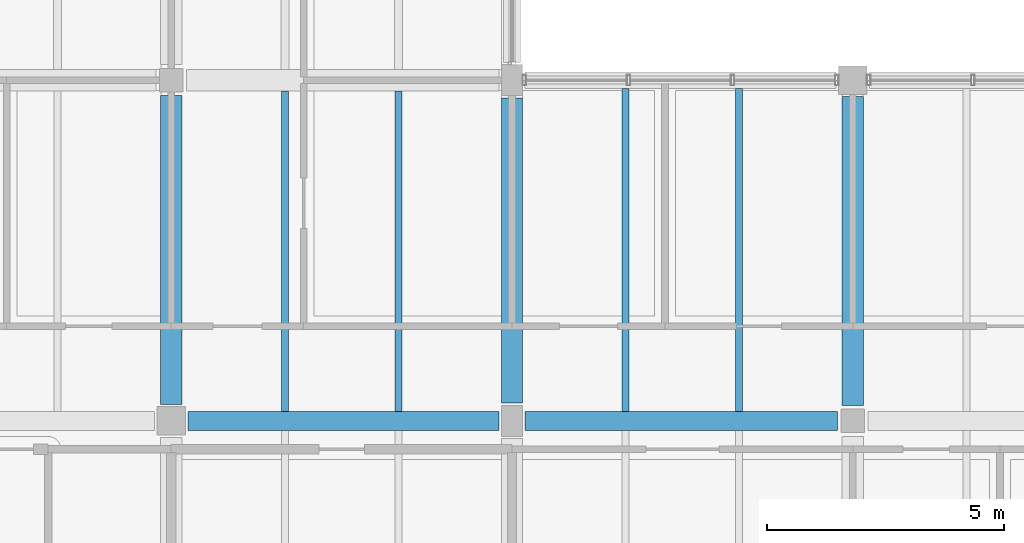
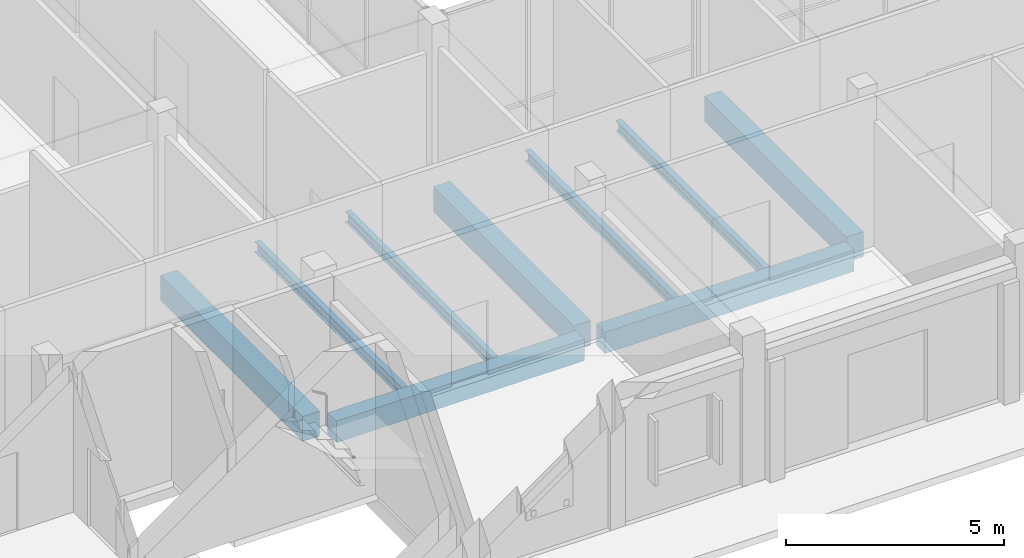
# One storey, part 11 of 104: 9 beams.
"""IFC4 building model written with IfcOpenShell, lengths in metres."""

from ifc_helpers import new_model, si_unit, direction, frame, origin, origin_2d, place, context, subcontext, project, spatial, rectangle, i_section, extrude, material, material_profile, profile_set, type_object, element, save


model = new_model("IFC4")

# Units and contexts
model_context = context("Model", 3, precision=1e-05, world=origin(), true_north=direction((0.0, 1.0)))
body_context = subcontext(model_context, "Body", "Model", "MODEL_VIEW")
ifc_project = project(units=[si_unit("LENGTHUNIT", "METRE"), si_unit("AREAUNIT", "SQUARE_METRE"), si_unit("VOLUMEUNIT", "CUBIC_METRE"), si_unit("PLANEANGLEUNIT", "RADIAN"), si_unit("MASSUNIT", "GRAM", prefix="KILO")], contexts=[model_context])

# Site, building, storey
site_placement = place(None, origin())
site = spatial("IfcSite", under=ifc_project, at=site_placement, CompositionType="ELEMENT")
building_placement = place(site_placement, origin())
building = spatial("IfcBuilding", under=site, at=building_placement, Name="Hawrajan Terrace Health Centre", CompositionType="ELEMENT")
storey_placement = place(building_placement, origin())
storey = spatial("IfcBuildingStorey", under=building, at=storey_placement, Name="L00", CompositionType="ELEMENT", Elevation=0.0)

# Beams
ifc_material_1 = material(Name="Concrete C40/50", Category="concrete")
ifc_material_profile_1 = material_profile(ifc_material_1, rectangle(XDim=0.39990234375, YDim=0.60009765625, at=origin_2d()), Name="RC BM 400x600")
ifc_profile_set_1 = profile_set([ifc_material_profile_1], Name="Concrete C40/50")
beam_type_1 = type_object("IfcBeamType", Name="RCGirder_400x600", PredefinedType="BEAM", material=ifc_profile_set_1)
beam_1_placement = place(storey_placement, frame((19.35009765625, 11.39990234375, -0.60009765625), z_axis=(1.0, 0.0, 0.0), x_axis=(0.0, 1.0, 0.0)))
element("IfcBeam", 1, at=beam_1_placement, inside=storey, type_object=beam_type_1, Name="Beam BM-X-L00-W-03-Y2", PredefinedType="BEAM", context=body_context, shape_type="SweptSolid", body=[
    extrude(rectangle(XDim=0.39990234375, YDim=0.60009765625, at=origin_2d()), origin(), (0.0, 0.0, 1.0), 6.574951171875),
])
beam_2_placement = place(storey_placement, frame((26.47509765625, 11.39990234375, -0.60009765625), z_axis=(1.0, 0.0, 0.0), x_axis=(0.0, 1.0, 0.0)))
element("IfcBeam", 2, at=beam_2_placement, inside=storey, type_object=beam_type_1, Name="Beam BM-X-L00-W-04-Y2", PredefinedType="BEAM", context=body_context, shape_type="SweptSolid", body=[
    extrude(rectangle(XDim=0.39990234375, YDim=0.60009765625, at=origin_2d()), origin(), (0.0, 0.0, 1.0), 6.599853515625),
])
ifc_material_profile_2 = material_profile(ifc_material_1, rectangle(XDim=0.449951171875, YDim=0.699951171875, at=origin_2d()), Name="RC BM 450x700")
ifc_profile_set_2 = profile_set([ifc_material_profile_2], Name="Concrete C40/50")
beam_type_2 = type_object("IfcBeamType", Name="RCGirder_450x700", PredefinedType="BEAM", material=ifc_profile_set_2)
beam_3_placement = place(storey_placement, frame((19.0, 11.75, -0.64990234375), z_axis=(0.0, 1.0, 0.0), x_axis=(-1.0, 0.0, 0.0)))
element("IfcBeam", 3, at=beam_3_placement, inside=storey, type_object=beam_type_2, Name="Beam BM-Y-L00-W-X03-2", PredefinedType="BEAM", context=body_context, shape_type="SweptSolid", body=[
    extrude(rectangle(XDim=0.449951171875, YDim=0.699951171875, at=origin_2d()), origin(), (0.0, 0.0, 1.0), 6.52490234375),
])
beam_4_placement = place(storey_placement, frame((26.199951171875, 11.77490234375, -0.64990234375), z_axis=(0.0, 1.0, 0.0), x_axis=(-1.0, 0.0, 0.0)))
element("IfcBeam", 4, at=beam_4_placement, inside=storey, type_object=beam_type_2, Name="Beam BM-Y-L00-W-X04-2", PredefinedType="BEAM", context=body_context, shape_type="SweptSolid", body=[
    extrude(rectangle(XDim=0.449951171875, YDim=0.699951171875, at=origin_2d()), origin(), (0.0, 0.0, 1.0), 6.4501953125),
])
beam_5_placement = place(storey_placement, frame((33.39990234375, 11.72509765625, -0.64990234375), z_axis=(0.0, 1.0, 0.0), x_axis=(-1.0, 0.0, 0.0)))
element("IfcBeam", 5, at=beam_5_placement, inside=storey, type_object=beam_type_2, Name="Beam BM-Y-L00-W-X05-2", PredefinedType="BEAM", context=body_context, shape_type="SweptSolid", body=[
    extrude(rectangle(XDim=0.449951171875, YDim=0.699951171875, at=origin_2d()), origin(), (0.0, 0.0, 1.0), 6.52490234375),
])
ifc_material_2 = material(Name="Steel S355", Category="steel")
ifc_material_profile_3 = material_profile(ifc_material_2, i_section(OverallWidth=0.14990234375, OverallDepth=0.300048828125, WebThickness=0.007080078125, FlangeThickness=0.0107421875, FilletRadius=0.014892578125, at=origin_2d()), Name="IPE 300")
ifc_profile_set_3 = profile_set([ifc_material_profile_3], Name="Steel S355")
beam_type_3 = type_object("IfcBeamType", Name="SteelBeam_IPE300", PredefinedType="JOIST", material=ifc_profile_set_3)
for number, where, z_axis, x_axis, name in (
    (6, (21.39990234375, 11.60009765625, -0.449951171875), (0.0, 1.0, 0.0), (-1.0, 0.0, 0.0), "Secondary joist JST-L00-W-03-2-1"),
    (7, (23.800048828125, 11.60009765625, -0.449951171875), (0.0, 1.0, 0.0), (-1.0, 0.0, 0.0), "Secondary joist JST-L00-W-03-2-2"),
):
    element("IfcBeam", number, at=place(storey_placement, frame(where, z_axis=z_axis, x_axis=x_axis)), inside=storey, type_object=beam_type_3, Name=name, PredefinedType="JOIST", context=body_context, shape_type="SweptSolid", body=[
        extrude(i_section(OverallWidth=0.14990234375, OverallDepth=0.300048828125, WebThickness=0.007080078125, FlangeThickness=0.0107421875, FilletRadius=0.014892578125, at=origin_2d()), origin(), (0.0, 0.0, 1.0), 6.77490234375),
    ])
for number, where, z_axis, x_axis, name in (
    (8, (28.60009765625, 11.60009765625, -0.449951171875), (0.0, 1.0, 0.0), (-1.0, 0.0, 0.0), "Secondary joist JST-L00-W-04-2-1"),
    (9, (31.0, 11.60009765625, -0.449951171875), (0.0, 1.0, 0.0), (-1.0, 0.0, 0.0), "Secondary joist JST-L00-W-04-2-2"),
):
    element("IfcBeam", number, at=place(storey_placement, frame(where, z_axis=z_axis, x_axis=x_axis)), inside=storey, type_object=beam_type_3, Name=name, PredefinedType="JOIST", context=body_context, shape_type="SweptSolid", body=[
        extrude(i_section(OverallWidth=0.14990234375, OverallDepth=0.300048828125, WebThickness=0.007080078125, FlangeThickness=0.0107421875, FilletRadius=0.014892578125, at=origin_2d()), origin(), (0.0, 0.0, 1.0), 6.824951171875),
    ])

save(model, "model.ifc")
